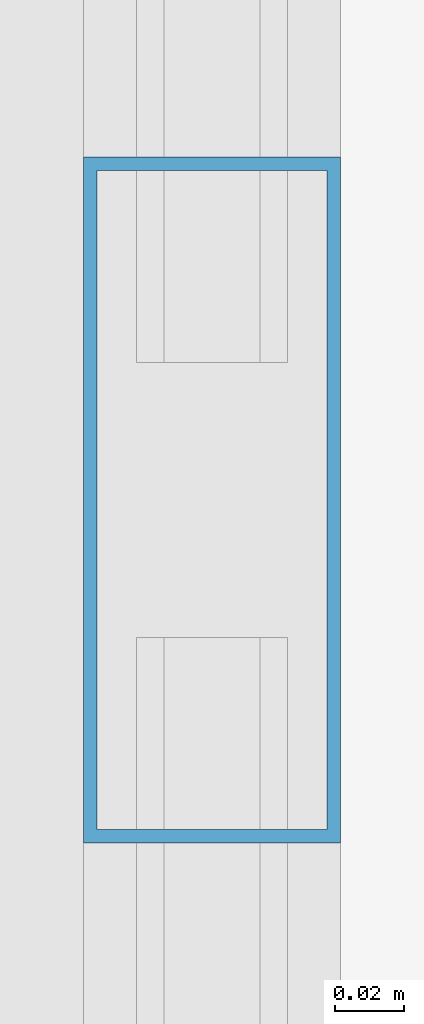
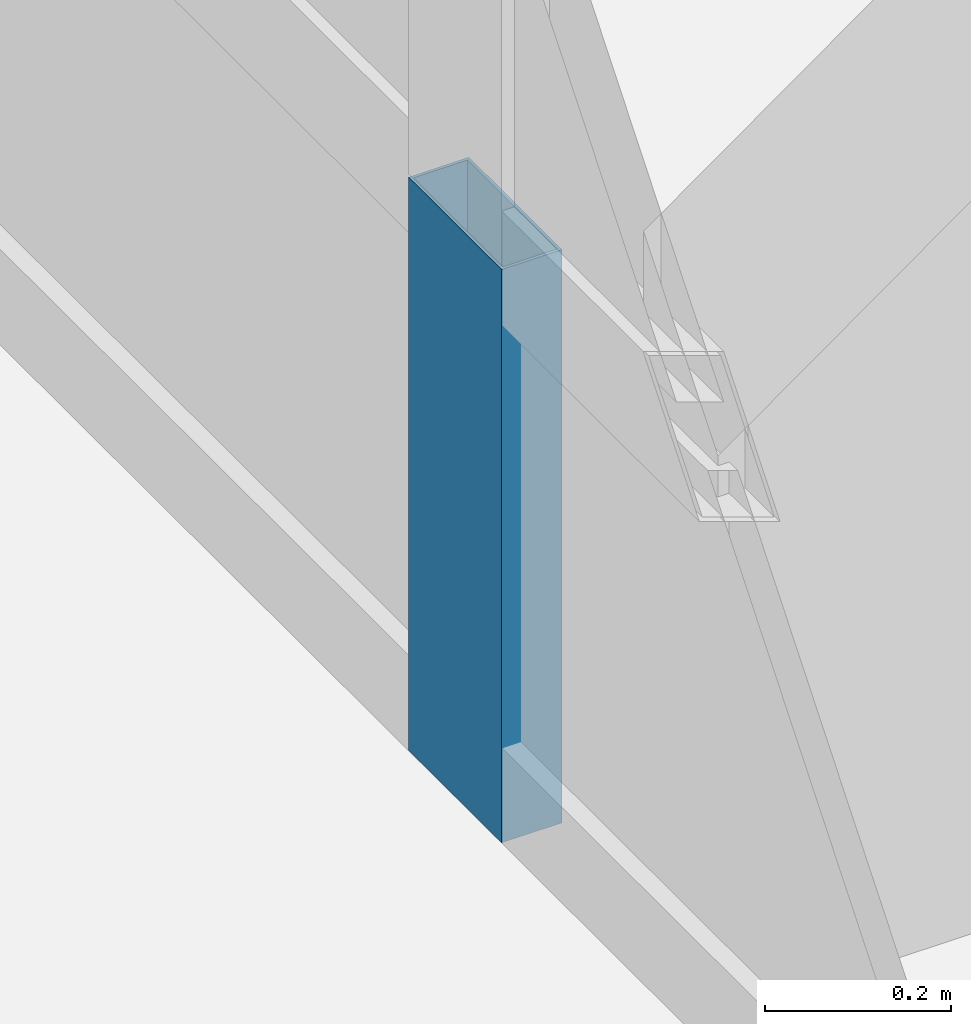
# One storey, part 21 of 34: 1 member, 1 element without a shape of its own.
"""IFC4 building model written with IfcOpenShell, lengths in metres."""

from ifc_helpers import new_model, si_unit, direction, frame, origin, origin_2d, place, context, subcontext, project, spatial, hollow_rectangle, extrude, source, transform, mapped, material, layer, layer_set, material_profile, profile_set, type_object, element, aggregate, save


model = new_model("IFC4")

# Units and contexts
model_context = context("Model", 3, precision=1e-05, world=origin(), true_north=direction((0.0, 1.0)))
body_context = subcontext(model_context, "Body", "Model", "MODEL_VIEW")
ifc_project = project(units=[si_unit("LENGTHUNIT", "METRE"), si_unit("AREAUNIT", "SQUARE_METRE"), si_unit("VOLUMEUNIT", "CUBIC_METRE"), si_unit("PLANEANGLEUNIT", "RADIAN"), si_unit("MASSUNIT", "GRAM", prefix="KILO"), si_unit("THERMODYNAMICTEMPERATUREUNIT", "KELVIN"), si_unit("POWERUNIT", "WATT")], contexts=[model_context])

# Site, building, storey
site_placement = place(None, origin())
site = spatial("IfcSite", under=ifc_project, at=site_placement, CompositionType="ELEMENT")
building_placement = place(site_placement, origin())
building = spatial("IfcBuilding", under=site, at=building_placement, Name="Yuzanri Waterfront Tower", CompositionType="ELEMENT")
storey_placement = place(building_placement, frame((0.0, 0.0, 328.699951171875)))
storey = spatial("IfcBuildingStorey", under=building, at=storey_placement, Name="L88", CompositionType="ELEMENT", Elevation=328.699951171875)

# Curtain wall, member
ifc_material_1 = material(Name="Anodized Architectural Bronze", Category="metal")
ifc_layer = layer(ifc_material_1, 0.159912109375)
ifc_layer_set = layer_set([ifc_layer], Name="Anodized Architectural Bronze")
curtain_wall_type = type_object("IfcCurtainWallType", Name="Anodized Bronze High-Rise Penthouse High-Wind Unitized Curtain Wall 6900", PredefinedType="NOTDEFINED", material=ifc_layer_set)
curtain_wall_placement = place(storey_placement, origin())
curtain_wall = element("IfcCurtainWall", 1, at=curtain_wall_placement, inside=storey, type_object=curtain_wall_type, Name="L88 Curtain Wall CW-L88-WL", PredefinedType="NOTDEFINED")
ifc_material_2 = material(Name="Anodized Architectural Bronze", Category="metal")
ifc_material_profile = material_profile(ifc_material_2, hollow_rectangle(XDim=0.074951171875, YDim=0.199951171875, WallThickness=0.00390625, at=origin_2d()), Name="CWM 75x200")
ifc_profile_set = profile_set([ifc_material_profile], Name="Anodized Architectural Bronze")
member_type = type_object("IfcMemberType", Name="Anodized Bronze Primary Curtain-Wall Mullion 75x200", PredefinedType="MULLION", material=ifc_profile_set)
shared_shape = source(origin(), body_context, "Body", "SweptSolid", [
    extrude(hollow_rectangle(XDim=0.074951171875, YDim=0.199951171875, WallThickness=0.00390625, at=origin_2d()), origin(), (0.0, 0.0, 1.0), 0.751953125),
])
member_placement = place(storey_placement, frame((18.050048828125, 19.75, 0.0), z_axis=(0.0, 0.0, 1.0), x_axis=(1.0, 0.0, 0.0)))
member = element("IfcMember", 2, at=member_placement, type_object=member_type, Name="CW-L88-WL Lower Mullion 01", PredefinedType="MULLION", context=body_context, shape_type="MappedRepresentation", body=[
    mapped(shared_shape, transform((0.0, 0.0, 0.0), scale=1.0)),
])
aggregate(curtain_wall, [member])

save(model, "model.ifc")
